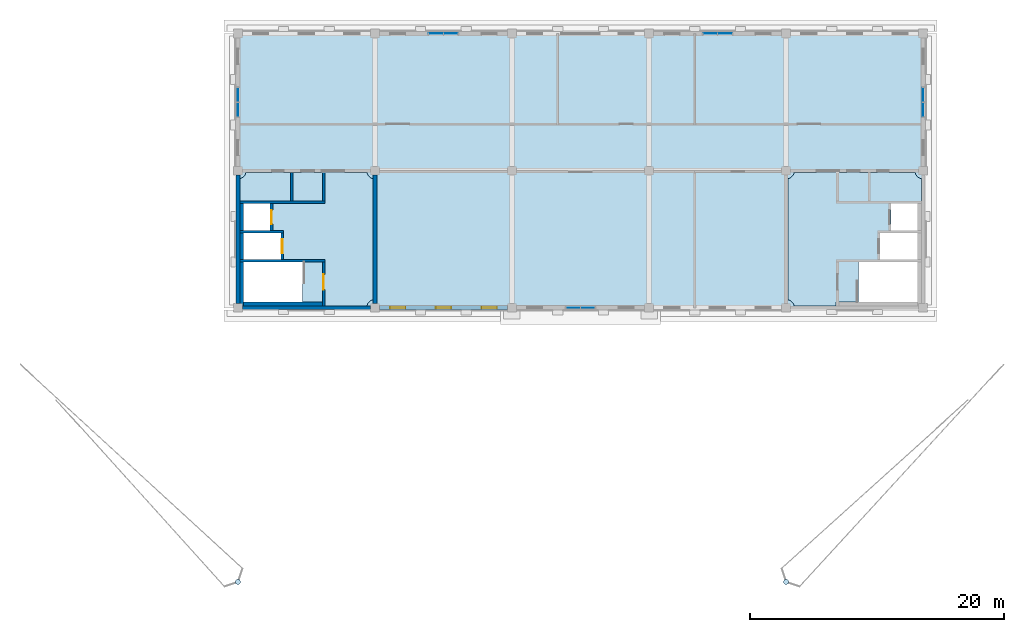
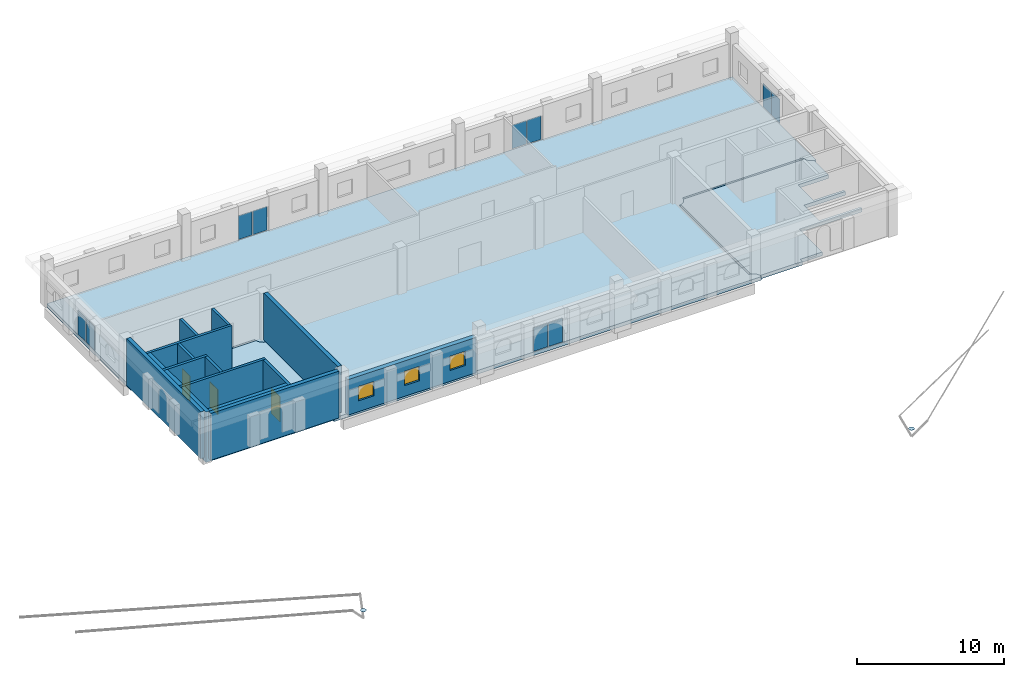
# One storey, part 6 of 10: 16 walls, 12 plates, 3 doors, 3 slabs, 3 windows, 6 openings, 5 elements without a shape of their own.
"""IFC4 building model written with IfcOpenShell, lengths in metres."""

import ifcopenshell
import ifcopenshell.guid

model = None  # the IFC model being written
_history = None  # IfcOwnerHistory: only IFC2X3 demands one
_inside = {}  # id of a spatial element -> (the spatial element, [elements in it])
_under = {}  # id of a project, library or spatial element -> (it, [spatial elements below it])
_declared = {}  # id of a project -> (the project, [libraries it declares])
_typed = {}  # id of a type object -> (the type object, [elements of that type])
_made_of = {}  # id of a material, layer set ... -> (it, [elements and type objects made of it])


def new_model(schema):
    """Start an empty IFC model of exactly this schema.

    Asked for "IFC4X3", IfcOpenShell would pick the latest addendum, in which some entities
    have other attributes; the version numbers below select the first issue.
    IFC2X3 requires an IfcOwnerHistory on every rooted entity: one is made here for all.
    """
    global model, _history
    if schema == "IFC4X3":
        model = ifcopenshell.file(schema_version=(4, 3, 0, 0))
    else:
        model = ifcopenshell.file(schema=schema)
    _inside.clear()
    _under.clear()
    _declared.clear()
    _typed.clear()
    _made_of.clear()
    _history = None
    if model.schema == "IFC2X3":
        org = make("IfcOrganization", Name="unknown")
        user = make(
            "IfcPersonAndOrganization",
            ThePerson=make("IfcPerson", FamilyName="unknown"),
            TheOrganization=org,
        )
        app = make(
            "IfcApplication",
            ApplicationDeveloper=org,
            Version="unknown",
            ApplicationFullName="unknown",
            ApplicationIdentifier="unknown",
        )
        _history = make(
            "IfcOwnerHistory",
            OwningUser=user,
            OwningApplication=app,
            ChangeAction="ADDED",
            CreationDate=0,
        )
    return model


def make(cls, **values):
    """One entity of the class cls with the attributes given. An attribute that is None is left unset."""
    return model.create_entity(
        cls, **{name: value for name, value in values.items() if value is not None}
    )


def rooted(cls, **values):
    """An entity with a GlobalId (a new one), such as an element, a storey or a relation."""
    return make(cls, GlobalId=ifcopenshell.guid.new(), OwnerHistory=_history, **values)


def si_unit(unit_type, name, prefix=None):
    """IfcSIUnit, for example si_unit("LENGTHUNIT", "METRE", prefix="MILLI")."""
    return make("IfcSIUnit", UnitType=unit_type, Prefix=prefix, Name=name)


def assignment(units):
    """IfcUnitAssignment: the units of a project."""
    return None if units is None else make("IfcUnitAssignment", Units=units)


def point(xyz):
    """IfcCartesianPoint."""
    return None if xyz is None else make("IfcCartesianPoint", Coordinates=xyz)


def direction(xyz):
    """IfcDirection."""
    return None if xyz is None else make("IfcDirection", DirectionRatios=xyz)


def frame(location, z_axis=None, x_axis=None):
    """IfcAxis2Placement3D, a coordinate frame: its origin and axes. An axis left out is left unset."""
    return make(
        "IfcAxis2Placement3D",
        Location=point(location),
        Axis=direction(z_axis),
        RefDirection=direction(x_axis),
    )


def frame_2d(location, x_axis=None):
    """IfcAxis2Placement2D, a coordinate frame in the plane: its origin and x axis."""
    return make(
        "IfcAxis2Placement2D", Location=point(location), RefDirection=direction(x_axis)
    )


def origin():
    """The frame at (0, 0, 0) with its axes left unset."""
    return frame((0.0, 0.0, 0.0))


def origin_2d():
    """The frame at (0, 0) in the plane with its x axis left unset."""
    return frame_2d((0.0, 0.0))


def place(relative_to, where):
    """IfcLocalPlacement: puts the frame where relative to a parent placement (None: the world)."""
    return make(
        "IfcLocalPlacement", PlacementRelTo=relative_to, RelativePlacement=where
    )


def context(
    kind, dimensions, precision=None, world=None, true_north=None, identifier=None
):
    """IfcGeometricRepresentationContext, for example the 3D "Model" context."""
    return make(
        "IfcGeometricRepresentationContext",
        ContextIdentifier=identifier,
        ContextType=kind,
        CoordinateSpaceDimension=dimensions,
        Precision=precision,
        WorldCoordinateSystem=world,
        TrueNorth=true_north,
    )


def subcontext(parent, identifier, kind, view, scale=None):
    """IfcGeometricRepresentationSubContext, for example "Body" below "Model"."""
    return make(
        "IfcGeometricRepresentationSubContext",
        ContextIdentifier=identifier,
        ContextType=kind,
        ParentContext=parent,
        TargetScale=scale,
        TargetView=view,
    )


def project(units=None, contexts=None):
    """IfcProject with its units and contexts."""
    return rooted(
        "IfcProject",
        Name="project",
        RepresentationContexts=contexts,
        UnitsInContext=assignment(units),
    )


def spatial(cls, under=None, at=None, **own):
    """A site, building, storey or space (cls), placed at a placement, below another one or the project."""
    s = rooted(cls, ObjectPlacement=at, **own)
    if under is not None:
        _under.setdefault(under.id(), (under, []))[1].append(s)
    return s


def polyline(points):
    """IfcPolyline through the points."""
    return make("IfcPolyline", Points=[point(p) for p in points])


def profile(cls, at=None, kind="AREA", **sizes):
    """A parametric profile (cls). Its sizes go by their IFC names, for example OverallWidth=200.0."""
    return make(cls, ProfileType=kind, Position=at, **sizes)


def rectangle(**sizes):
    """IfcRectangleProfileDef."""
    return profile("IfcRectangleProfileDef", **sizes)


def circle(**sizes):
    """IfcCircleProfileDef."""
    return profile("IfcCircleProfileDef", **sizes)


def outline(outer, holes=None, kind="AREA"):
    """IfcArbitraryClosedProfileDef: a profile drawn as a closed curve; with holes, ...WithVoids."""
    if holes is None:
        return make("IfcArbitraryClosedProfileDef", ProfileType=kind, OuterCurve=outer)
    return make(
        "IfcArbitraryProfileDefWithVoids",
        ProfileType=kind,
        OuterCurve=outer,
        InnerCurves=holes,
    )


def extrude(swept, where, along, depth):
    """IfcExtrudedAreaSolid: the profile swept, set in the frame where, extruded along a direction by depth."""
    return make(
        "IfcExtrudedAreaSolid",
        SweptArea=swept,
        Position=where,
        ExtrudedDirection=direction(along),
        Depth=depth,
    )


def shape(context_of_items, identifier, shape_type, items):
    """IfcShapeRepresentation: the items that make up one representation, for example the "Body"."""
    return make(
        "IfcShapeRepresentation",
        ContextOfItems=context_of_items,
        RepresentationIdentifier=identifier,
        RepresentationType=shape_type,
        Items=items,
    )


def material(Name=None, Category=None):
    """IfcMaterial."""
    return make("IfcMaterial", Name=Name, Category=Category)


def layer(
    of_material, thickness, ventilated=None, Name=None, Category=None, Priority=None
):
    """IfcMaterialLayer: one layer of a wall or slab, of a material (None: an air gap)."""
    return make(
        "IfcMaterialLayer",
        Material=of_material,
        LayerThickness=thickness,
        IsVentilated=ventilated,
        Name=Name,
        Category=Category,
        Priority=Priority,
    )


def layer_set(layers, Name=None):
    """IfcMaterialLayerSet."""
    return make("IfcMaterialLayerSet", MaterialLayers=layers, LayerSetName=Name)


def material_profile(
    of_material, cross_section, Name=None, Category=None, Priority=None
):
    """IfcMaterialProfile: a cross section and its material."""
    return make(
        "IfcMaterialProfile",
        Name=Name,
        Material=of_material,
        Profile=cross_section,
        Priority=Priority,
        Category=Category,
    )


def profile_set(profiles, Name=None, composite=None):
    """IfcMaterialProfileSet."""
    return make(
        "IfcMaterialProfileSet",
        Name=Name,
        MaterialProfiles=profiles,
        CompositeProfile=composite,
    )


def made_of(thing, what):
    """Note that an element or type object is made of a material, layer set ...; save() writes the relation."""
    if what is not None:
        _made_of.setdefault(what.id(), (what, []))[1].append(thing)
    return thing


def type_object(cls, material=None, **own):
    """A type object (cls), such as IfcWallType, which elements share."""
    return made_of(rooted(cls, **own), material)


def element(
    cls,
    number,
    at=None,
    inside=None,
    cuts=None,
    type_object=None,
    material=None,
    context=None,
    identifier="Body",
    shape_type=None,
    held_by="IfcProductDefinitionShape",
    body=None,
    shapes=None,
    **own,
):
    """One element of the class cls, such as IfcWall. Its Tag is "e" and its number.

    at: its placement. inside: the storey or other place that contains it. cuts: it is an
    opening in that element (IfcRelVoidsElement). A single representation is given by context,
    identifier, shape_type and body (its items); several are given by shapes. held_by: the class
    of the entity that holds the representations. save() writes the other relations.
    """
    e = rooted(cls, Tag="e%d" % number, ObjectPlacement=at, **own)
    if body is not None:
        shapes = [shape(context, identifier, shape_type, body)]
    if shapes is not None:
        e.Representation = make(held_by, Representations=shapes)
    if inside is not None:
        _inside.setdefault(inside.id(), (inside, []))[1].append(e)
    if cuts is not None:
        rooted(
            "IfcRelVoidsElement", RelatingBuildingElement=cuts, RelatedOpeningElement=e
        )
    if type_object is not None:
        _typed.setdefault(type_object.id(), (type_object, []))[1].append(e)
    return made_of(e, material)


def fill(opening, filler):
    """IfcRelFillsElement: the door or window that sits in an opening."""
    return rooted(
        "IfcRelFillsElement",
        RelatingOpeningElement=opening,
        RelatedBuildingElement=filler,
    )


def aggregate(whole, parts):
    """IfcRelAggregates: a whole, such as a stair, and the parts it consists of."""
    return rooted("IfcRelAggregates", RelatingObject=whole, RelatedObjects=parts)


def save(model, path):
    """Write the relations noted so far, then the file.

    IfcRelAggregates (storeys below a building ...), IfcRelContainedInSpatialStructure (elements
    in a storey), IfcRelDefinesByType, IfcRelAssociatesMaterial and IfcRelDeclares: one each for
    every whole, place, type object, material and project.
    """
    for whole, parts in _under.values():
        aggregate(whole, parts)
    for where, things in _inside.values():
        rooted(
            "IfcRelContainedInSpatialStructure",
            RelatedElements=things,
            RelatingStructure=where,
        )
    for kind, things in _typed.values():
        rooted("IfcRelDefinesByType", RelatedObjects=things, RelatingType=kind)
    for what, things in _made_of.values():
        rooted("IfcRelAssociatesMaterial", RelatedObjects=things, RelatingMaterial=what)
    for by, libraries in _declared.values():
        rooted("IfcRelDeclares", RelatingContext=by, RelatedDefinitions=libraries)
    model.write(path)


model = new_model("IFC4")

# Units and contexts
model_context = context("Model", 3, precision=1e-05, world=origin(), true_north=direction((0.0, 1.0)))
body_context = subcontext(model_context, "Body", "Model", "MODEL_VIEW")
ifc_project = project(units=[si_unit("LENGTHUNIT", "METRE"), si_unit("AREAUNIT", "SQUARE_METRE"), si_unit("VOLUMEUNIT", "CUBIC_METRE"), si_unit("PLANEANGLEUNIT", "RADIAN"), si_unit("MASSUNIT", "GRAM", prefix="KILO")], contexts=[model_context])

# Site, building, storey
site_placement = place(None, origin())
site = spatial("IfcSite", under=ifc_project, at=site_placement, CompositionType="ELEMENT")
building_placement = place(site_placement, origin())
building = spatial("IfcBuilding", under=site, at=building_placement, Name="Magnolia Steps Interchange", CompositionType="ELEMENT")
storey_placement = place(building_placement, frame((0.0, 0.0, 24.300048828125)))
storey = spatial("IfcBuildingStorey", under=building, at=storey_placement, Name="L06", CompositionType="ELEMENT", Elevation=24.300048828125)

# Slabs
ifc_material_1 = material(Name="Concrete C35", Category="concrete")
ifc_layer_1 = layer(ifc_material_1, 0.300048828125)
ifc_layer_set_1 = layer_set([ifc_layer_1], Name="Core floor slab 300")
slab_type_1 = type_object("IfcSlabType", Name="Core floor slab 300", PredefinedType="FLOOR", material=ifc_layer_set_1)
slab_1_placement = place(storey_placement, frame((0.0, 0.0, -0.300048828125)))
element("IfcSlab", 1, at=slab_1_placement, inside=storey, type_object=slab_type_1, Name="L06 core floor OC-W", PredefinedType="FLOOR", context=body_context, shape_type="SweptSolid", body=[
    extrude(outline(polyline([(70.85009765625, 96.85009765625), (69.10009765625, 96.85009765625), (69.10009765625, 100.0), (64.14990234375, 100.0), (64.14990234375, 100.199951171875), (67.39990234375, 100.199951171875), (67.39990234375, 102.300048828125), (64.14990234375, 102.300048828125), (64.14990234375, 102.5), (66.550048828125, 102.5), (66.550048828125, 104.60009765625), (64.14990234375, 104.60009765625), (64.14990234375, 106.568359375), (64.188720703125, 106.577880859375), (64.248779296875, 106.599609375), (64.306396484375, 106.626708984375), (64.361083984375, 106.659423828125), (64.412353515625, 106.697509765625), (64.459716796875, 106.740478515625), (64.50244140625, 106.78759765625), (64.54052734375, 106.8388671875), (64.5732421875, 106.8935546875), (64.6005859375, 106.951416015625), (64.6220703125, 107.01123046875), (64.631591796875, 107.050048828125), (74.168212890625, 107.050048828125), (74.177978515625, 107.01123046875), (74.199462890625, 106.951416015625), (74.226806640625, 106.8935546875), (74.259521484375, 106.8388671875), (74.297607421875, 106.78759765625), (74.34033203125, 106.740478515625), (74.3876953125, 106.697509765625), (74.43896484375, 106.659423828125), (74.49365234375, 106.626708984375), (74.55126953125, 106.599609375), (74.611328125, 106.577880859375), (74.64990234375, 106.568359375), (74.64990234375, 97.03173828125), (74.611328125, 97.02197265625), (74.55126953125, 97.00048828125), (74.49365234375, 96.97314453125), (74.43896484375, 96.9404296875), (74.3876953125, 96.902587890625), (74.34033203125, 96.859619140625), (74.297607421875, 96.8125), (74.259521484375, 96.760986328125), (74.226806640625, 96.706298828125), (74.199462890625, 96.648681640625), (74.177978515625, 96.588623046875), (74.168212890625, 96.550048828125), (70.85009765625, 96.550048828125), (70.85009765625, 96.85009765625)])), origin(), (0.0, 0.0, 1.0), 0.300048828125),
])
slab_2_placement = place(storey_placement, frame((0.0, 0.0, -0.300048828125)))
element("IfcSlab", 2, at=slab_2_placement, inside=storey, type_object=slab_type_1, Name="L06 core floor OC-E", PredefinedType="FLOOR", context=body_context, shape_type="SweptSolid", body=[
    extrude(outline(polyline([(107.35009765625, 106.568359375), (107.388671875, 106.577880859375), (107.44873046875, 106.599609375), (107.50634765625, 106.626708984375), (107.56103515625, 106.659423828125), (107.6123046875, 106.697509765625), (107.65966796875, 106.740478515625), (107.702392578125, 106.78759765625), (107.740478515625, 106.8388671875), (107.773193359375, 106.8935546875), (107.800537109375, 106.951416015625), (107.822021484375, 107.01123046875), (107.831787109375, 107.050048828125), (117.368408203125, 107.050048828125), (117.3779296875, 107.01123046875), (117.3994140625, 106.951416015625), (117.4267578125, 106.8935546875), (117.45947265625, 106.8388671875), (117.49755859375, 106.78759765625), (117.540283203125, 106.740478515625), (117.587646484375, 106.697509765625), (117.638916015625, 106.659423828125), (117.693603515625, 106.626708984375), (117.751220703125, 106.599609375), (117.811279296875, 106.577880859375), (117.85009765625, 106.568359375), (117.85009765625, 104.60009765625), (115.449951171875, 104.60009765625), (115.449951171875, 102.5), (117.85009765625, 102.5), (117.85009765625, 102.300048828125), (114.60009765625, 102.300048828125), (114.60009765625, 100.199951171875), (117.85009765625, 100.199951171875), (117.85009765625, 100.0), (112.89990234375, 100.0), (112.89990234375, 96.85009765625), (111.14990234375, 96.85009765625), (111.14990234375, 96.550048828125), (107.831787109375, 96.550048828125), (107.822021484375, 96.588623046875), (107.800537109375, 96.648681640625), (107.773193359375, 96.706298828125), (107.740478515625, 96.760986328125), (107.702392578125, 96.8125), (107.65966796875, 96.859619140625), (107.6123046875, 96.902587890625), (107.56103515625, 96.9404296875), (107.50634765625, 96.97314453125), (107.44873046875, 97.00048828125), (107.388671875, 97.02197265625), (107.35009765625, 97.03173828125), (107.35009765625, 106.568359375)])), origin(), (0.0, 0.0, 1.0), 0.300048828125),
])

# Plates
ifc_material_2 = material(Name="Steel Q355B", Category="steel")
ifc_material_profile = material_profile(ifc_material_2, circle(Radius=0.202880859375, at=origin_2d()), Name="End plate CHS406x16")
ifc_profile_set = profile_set([ifc_material_profile], Name="Steel Q355B")
plate_type_1 = type_object("IfcPlateType", Name="End plate CHS406x16", PredefinedType="SHEET", material=ifc_profile_set)
for number, where, z_axis, x_axis, name in (
    (3, (107.199951171875, 74.800048828125, 0.651123046875), (0.0, 0.0, 1.0), (1.0, 0.0, 0.0), "End plate Mast"),
    (4, (64.0, 74.800048828125, 0.651123046875), (0.0, 0.0, 1.0), (1.0, 0.0, 0.0), "End plate Mast"),
):
    element("IfcPlate", number, at=place(storey_placement, frame(where, z_axis=z_axis, x_axis=x_axis)), inside=storey, type_object=plate_type_1, Name=name, PredefinedType="SHEET", context=body_context, shape_type="SweptSolid", body=[
        extrude(circle(Radius=0.202880859375, at=origin_2d()), origin(), (0.0, 0.0, 1.0), 0.008056640625),
    ])

# Slab
ifc_material_3 = material(Name="Concrete C40", Category="concrete")
ifc_layer_2 = layer(ifc_material_3, 0.300048828125)
ifc_layer_set_2 = layer_set([ifc_layer_2], Name="Floor slab 300")
slab_type_2 = type_object("IfcSlabType", Name="Floor slab 300", PredefinedType="FLOOR", material=ifc_layer_set_2)
slab_3_placement = place(storey_placement, frame((0.0, 0.0, -0.300048828125)))
element("IfcSlab", 5, at=slab_3_placement, inside=storey, type_object=slab_type_2, Name="Operations floor L06", PredefinedType="FLOOR", context=body_context, shape_type="SweptSolid", body=[
    extrude(outline(polyline([(64.0, 106.550048828125), (64.063720703125, 106.552978515625), (64.126708984375, 106.5625), (64.188720703125, 106.577880859375), (64.248779296875, 106.599609375), (64.306396484375, 106.626708984375), (64.361083984375, 106.659423828125), (64.412353515625, 106.697509765625), (64.459716796875, 106.740478515625), (64.50244140625, 106.78759765625), (64.54052734375, 106.8388671875), (64.5732421875, 106.8935546875), (64.6005859375, 106.951416015625), (64.6220703125, 107.01123046875), (64.637451171875, 107.0732421875), (64.64697265625, 107.13623046875), (64.64990234375, 107.199951171875), (74.14990234375, 107.199951171875), (74.153076171875, 107.13623046875), (74.16259765625, 107.0732421875), (74.177978515625, 107.01123046875), (74.199462890625, 106.951416015625), (74.226806640625, 106.8935546875), (74.259521484375, 106.8388671875), (74.297607421875, 106.78759765625), (74.34033203125, 106.740478515625), (74.3876953125, 106.697509765625), (74.43896484375, 106.659423828125), (74.49365234375, 106.626708984375), (74.55126953125, 106.599609375), (74.611328125, 106.577880859375), (74.673095703125, 106.5625), (74.736328125, 106.552978515625), (74.800048828125, 106.550048828125), (74.800048828125, 97.050048828125), (74.736328125, 97.046875), (74.673095703125, 97.03759765625), (74.611328125, 97.02197265625), (74.55126953125, 97.00048828125), (74.49365234375, 96.97314453125), (74.43896484375, 96.9404296875), (74.3876953125, 96.902587890625), (74.34033203125, 96.859619140625), (74.297607421875, 96.8125), (74.259521484375, 96.760986328125), (74.226806640625, 96.706298828125), (74.199462890625, 96.648681640625), (74.177978515625, 96.588623046875), (74.16259765625, 96.52685546875), (74.153076171875, 96.463623046875), (74.14990234375, 96.39990234375), (107.85009765625, 96.39990234375), (107.846923828125, 96.463623046875), (107.83740234375, 96.52685546875), (107.822021484375, 96.588623046875), (107.800537109375, 96.648681640625), (107.773193359375, 96.706298828125), (107.740478515625, 96.760986328125), (107.702392578125, 96.8125), (107.65966796875, 96.859619140625), (107.6123046875, 96.902587890625), (107.56103515625, 96.9404296875), (107.50634765625, 96.97314453125), (107.44873046875, 97.00048828125), (107.388671875, 97.02197265625), (107.326904296875, 97.03759765625), (107.263671875, 97.046875), (107.199951171875, 97.050048828125), (107.199951171875, 106.550048828125), (107.263671875, 106.552978515625), (107.326904296875, 106.5625), (107.388671875, 106.577880859375), (107.44873046875, 106.599609375), (107.50634765625, 106.626708984375), (107.56103515625, 106.659423828125), (107.6123046875, 106.697509765625), (107.65966796875, 106.740478515625), (107.702392578125, 106.78759765625), (107.740478515625, 106.8388671875), (107.773193359375, 106.8935546875), (107.800537109375, 106.951416015625), (107.822021484375, 107.01123046875), (107.83740234375, 107.0732421875), (107.846923828125, 107.13623046875), (107.85009765625, 107.199951171875), (117.35009765625, 107.199951171875), (117.35302734375, 107.13623046875), (117.362548828125, 107.0732421875), (117.3779296875, 107.01123046875), (117.3994140625, 106.951416015625), (117.4267578125, 106.8935546875), (117.45947265625, 106.8388671875), (117.49755859375, 106.78759765625), (117.540283203125, 106.740478515625), (117.587646484375, 106.697509765625), (117.638916015625, 106.659423828125), (117.693603515625, 106.626708984375), (117.751220703125, 106.599609375), (117.811279296875, 106.577880859375), (117.873291015625, 106.5625), (117.936279296875, 106.552978515625), (118.0, 106.550048828125), (118.0, 118.0), (64.0, 118.0), (64.0, 106.550048828125)])), origin(), (0.0, 0.0, 1.0), 0.300048828125),
])

# Curtain wall, plates
ifc_material_4 = material(Name="Powder-coated aluminium and glass", Category="aluminium")
ifc_layer_3 = layer(ifc_material_4, 0.199951171875)
ifc_layer_set_3 = layer_set([ifc_layer_3], Name="Glazed central bay curtain wall")
curtain_wall_type = type_object("IfcCurtainWallType", Name="Glazed central bay curtain wall", PredefinedType="NOTDEFINED", material=ifc_layer_set_3)
curtain_wall_1_placement = place(storey_placement, origin())
curtain_wall_1 = element("IfcCurtainWall", 6, at=curtain_wall_1_placement, inside=storey, type_object=curtain_wall_type, Name="Operations building south wall L06 glazing 2", PredefinedType="NOTDEFINED")
ifc_material_5 = material(Name="Laminated glass", Category="glass")
ifc_layer_4 = layer(ifc_material_5, 0.028076171875)
ifc_layer_set_4 = layer_set([ifc_layer_4], Name="Glass panel 28")
plate_type_2 = type_object("IfcPlateType", Name="Glass panel 28", PredefinedType="CURTAIN_PANEL", material=ifc_layer_set_4)
plate_1_placement = place(storey_placement, frame((90.4150390625, 96.39990234375, 0.06005859375), z_axis=(0.0, 0.0, 1.0), x_axis=(1.0, 0.0, 0.0)))
plate_1 = element("IfcPlate", 7, at=plate_1_placement, type_object=plate_type_2, Name="CW2 panel 1.1", PredefinedType="CURTAIN_PANEL", context=body_context, shape_type="SweptSolid", body=[
    extrude(rectangle(XDim=1.110107421875, YDim=0.028076171875, at=origin_2d()), origin(), (0.0, 0.0, 1.0), 1.97998046875),
])
plate_2_placement = place(storey_placement, frame((91.5849609375, 96.39990234375, 0.06005859375), z_axis=(0.0, 0.0, 1.0), x_axis=(1.0, 0.0, 0.0)))
plate_2 = element("IfcPlate", 8, at=plate_2_placement, type_object=plate_type_2, Name="CW2 panel 2.1", PredefinedType="CURTAIN_PANEL", context=body_context, shape_type="SweptSolid", body=[
    extrude(rectangle(XDim=1.110107421875, YDim=0.028076171875, at=origin_2d()), origin(), (0.0, 0.0, 1.0), 1.97998046875),
])
aggregate(curtain_wall_1, [plate_1, plate_2])

curtain_wall_2_placement = place(storey_placement, origin())
curtain_wall_2 = element("IfcCurtainWall", 9, at=curtain_wall_2_placement, inside=storey, type_object=curtain_wall_type, Name="Operations building north wall L06 glazing 2", PredefinedType="NOTDEFINED")
plate_3_placement = place(storey_placement, frame((79.614990234375, 118.0, 0.06005859375), z_axis=(0.0, 0.0, 1.0), x_axis=(1.0, 0.0, 0.0)))
plate_3 = element("IfcPlate", 10, at=plate_3_placement, type_object=plate_type_2, Name="CW2 panel 1.1", PredefinedType="CURTAIN_PANEL", context=body_context, shape_type="SweptSolid", body=[
    extrude(rectangle(XDim=1.110107421875, YDim=0.028076171875, at=origin_2d()), origin(), (0.0, 0.0, 1.0), 1.97998046875),
])
plate_4_placement = place(storey_placement, frame((80.784912109375, 118.0, 0.06005859375), z_axis=(0.0, 0.0, 1.0), x_axis=(1.0, 0.0, 0.0)))
plate_4 = element("IfcPlate", 11, at=plate_4_placement, type_object=plate_type_2, Name="CW2 panel 2.1", PredefinedType="CURTAIN_PANEL", context=body_context, shape_type="SweptSolid", body=[
    extrude(rectangle(XDim=1.110107421875, YDim=0.028076171875, at=origin_2d()), origin(), (0.0, 0.0, 1.0), 1.97998046875),
])
aggregate(curtain_wall_2, [plate_3, plate_4])

curtain_wall_3_placement = place(storey_placement, origin())
curtain_wall_3 = element("IfcCurtainWall", 12, at=curtain_wall_3_placement, inside=storey, type_object=curtain_wall_type, Name="Operations building north wall L06 glazing 4", PredefinedType="NOTDEFINED")
plate_5_placement = place(storey_placement, frame((101.215087890625, 118.0, 0.06005859375), z_axis=(0.0, 0.0, 1.0), x_axis=(1.0, 0.0, 0.0)))
plate_5 = element("IfcPlate", 13, at=plate_5_placement, type_object=plate_type_2, Name="CW2 panel 1.1", PredefinedType="CURTAIN_PANEL", context=body_context, shape_type="SweptSolid", body=[
    extrude(rectangle(XDim=1.110107421875, YDim=0.028076171875, at=origin_2d()), origin(), (0.0, 0.0, 1.0), 1.97998046875),
])
plate_6_placement = place(storey_placement, frame((102.385009765625, 118.0, 0.06005859375), z_axis=(0.0, 0.0, 1.0), x_axis=(1.0, 0.0, 0.0)))
plate_6 = element("IfcPlate", 14, at=plate_6_placement, type_object=plate_type_2, Name="CW2 panel 2.1", PredefinedType="CURTAIN_PANEL", context=body_context, shape_type="SweptSolid", body=[
    extrude(rectangle(XDim=1.110107421875, YDim=0.028076171875, at=origin_2d()), origin(), (0.0, 0.0, 1.0), 1.97998046875),
])
aggregate(curtain_wall_3, [plate_5, plate_6])

curtain_wall_4_placement = place(storey_placement, origin())
curtain_wall_4 = element("IfcCurtainWall", 15, at=curtain_wall_4_placement, inside=storey, type_object=curtain_wall_type, Name="Operations building west wall L06 glazing 2", PredefinedType="NOTDEFINED")
plate_7_placement = place(storey_placement, frame((64.0, 112.014892578125, 0.06005859375), z_axis=(0.0, 0.0, 1.0), x_axis=(0.0, 1.0, 0.0)))
plate_7 = element("IfcPlate", 16, at=plate_7_placement, type_object=plate_type_2, Name="CW2 panel 1.1", PredefinedType="CURTAIN_PANEL", context=body_context, shape_type="SweptSolid", body=[
    extrude(rectangle(XDim=1.110107421875, YDim=0.028076171875, at=origin_2d()), origin(), (0.0, 0.0, 1.0), 1.97998046875),
])
plate_8_placement = place(storey_placement, frame((64.0, 113.18505859375, 0.06005859375), z_axis=(0.0, 0.0, 1.0), x_axis=(0.0, 1.0, 0.0)))
plate_8 = element("IfcPlate", 17, at=plate_8_placement, type_object=plate_type_2, Name="CW2 panel 2.1", PredefinedType="CURTAIN_PANEL", context=body_context, shape_type="SweptSolid", body=[
    extrude(rectangle(XDim=1.110107421875, YDim=0.028076171875, at=origin_2d()), origin(), (0.0, 0.0, 1.0), 1.97998046875),
])
aggregate(curtain_wall_4, [plate_7, plate_8])

curtain_wall_5_placement = place(storey_placement, origin())
curtain_wall_5 = element("IfcCurtainWall", 18, at=curtain_wall_5_placement, inside=storey, type_object=curtain_wall_type, Name="Operations building east wall L06 glazing 2", PredefinedType="NOTDEFINED")
plate_9_placement = place(storey_placement, frame((118.0, 112.014892578125, 0.06005859375), z_axis=(0.0, 0.0, 1.0), x_axis=(0.0, 1.0, 0.0)))
plate_9 = element("IfcPlate", 19, at=plate_9_placement, type_object=plate_type_2, Name="CW2 panel 1.1", PredefinedType="CURTAIN_PANEL", context=body_context, shape_type="SweptSolid", body=[
    extrude(rectangle(XDim=1.110107421875, YDim=0.028076171875, at=origin_2d()), origin(), (0.0, 0.0, 1.0), 1.97998046875),
])
plate_10_placement = place(storey_placement, frame((118.0, 113.18505859375, 0.06005859375), z_axis=(0.0, 0.0, 1.0), x_axis=(0.0, 1.0, 0.0)))
plate_10 = element("IfcPlate", 20, at=plate_10_placement, type_object=plate_type_2, Name="CW2 panel 2.1", PredefinedType="CURTAIN_PANEL", context=body_context, shape_type="SweptSolid", body=[
    extrude(rectangle(XDim=1.110107421875, YDim=0.028076171875, at=origin_2d()), origin(), (0.0, 0.0, 1.0), 1.97998046875),
])
aggregate(curtain_wall_5, [plate_9, plate_10])

# Wall, opening, door
ifc_material_6 = material(Name="Concrete C35", Category="concrete")
ifc_layer_5 = layer(ifc_material_6, 0.199951171875)
ifc_layer_set_5 = layer_set([ifc_layer_5], Name="Core enclosure wall 200")
wall_type_1 = type_object("IfcWallType", Name="Core enclosure wall 200", PredefinedType="SOLIDWALL", material=ifc_layer_set_5)
wall_1_placement = place(storey_placement, frame((70.75, 96.550048828125, 0.0), z_axis=(0.0, 0.0, 1.0), x_axis=(0.0, 1.0, 0.0)))
wall_1 = element("IfcWall", 21, at=wall_1_placement, inside=storey, type_object=wall_type_1, Name="L06 OC-W enclosure wall", PredefinedType="SOLIDWALL", context=body_context, shape_type="SweptSolid", body=[
    extrude(rectangle(XDim=3.449951171875, YDim=0.199951171875, at=frame_2d((1.72509765625, 0.0))), origin(), (0.0, 0.0, 1.0), 3.89990234375),
])
opening_1_placement = place(wall_1_placement, frame((1.27490234375, 0.0, 0.0)))
opening_1 = element("IfcOpeningElement", 22, at=opening_1_placement, cuts=wall_1, Name="Opening D-OC-W-L06-1", PredefinedType="OPENING", context=body_context, shape_type="SweptSolid", body=[
    extrude(rectangle(XDim=1.199951171875, YDim=2.10009765625, at=frame_2d((0.60009765625, 1.050048828125))), frame((0.0, 0.10986328125, 0.0), z_axis=(0.0, -1.0, 0.0), x_axis=(1.0, 0.0, 0.0)), (0.0, 0.0, 1.0), 0.219970703125),
])
ifc_material_7 = material(Name="Painted steel", Category="steel")
door_type_1 = type_object("IfcDoorType", Name="Stair fire door 1200x2100", OperationType="NOTDEFINED", PredefinedType="DOOR", material=ifc_material_7)
door_1_placement = place(opening_1_placement, frame((1.199951171875, 0.0, 0.0), z_axis=(0.0, 0.0, 1.0), x_axis=(-1.0, 0.0, 0.0)))
door_1 = element("IfcDoor", 23, at=door_1_placement, inside=storey, type_object=door_type_1, Name="Stair door ST28 L06", OperationType="SINGLE_SWING_LEFT", OverallHeight=2.10009765625, OverallWidth=1.199951171875, PredefinedType="DOOR", context=body_context, shape_type="SweptSolid", body=[
    extrude(rectangle(XDim=1.199951171875, YDim=2.10009765625, at=frame_2d((0.60009765625, 1.050048828125))), frame((0.0, 0.02490234375, 0.0), z_axis=(0.0, -1.0, 0.0), x_axis=(1.0, 0.0, 0.0)), (0.0, 0.0, 1.0), 0.050048828125),
])
fill(opening_1, door_1)

# Wall
wall_2_placement = place(storey_placement, frame((70.85009765625, 100.10009765625, 0.0), z_axis=(0.0, 0.0, 1.0), x_axis=(-1.0, 0.0, 0.0)))
element("IfcWall", 24, at=wall_2_placement, inside=storey, type_object=wall_type_1, Name="L06 OC-W enclosure wall", PredefinedType="SOLIDWALL", context=body_context, shape_type="SweptSolid", body=[
    extrude(rectangle(XDim=6.7001953125, YDim=0.199951171875, at=frame_2d((3.35009765625, 0.0))), origin(), (0.0, 0.0, 1.0), 3.89990234375),
])

# Wall, opening, door
wall_3_placement = place(storey_placement, frame((67.5, 100.199951171875, 0.0), z_axis=(0.0, 0.0, 1.0), x_axis=(0.0, 1.0, 0.0)))
wall_3 = element("IfcWall", 25, at=wall_3_placement, inside=storey, type_object=wall_type_1, Name="L06 OC-W enclosure wall", PredefinedType="SOLIDWALL", context=body_context, shape_type="SweptSolid", body=[
    extrude(rectangle(XDim=2.10009765625, YDim=0.199951171875, at=frame_2d((1.050048828125, 0.0))), origin(), (0.0, 0.0, 1.0), 3.89990234375),
])
opening_2_placement = place(wall_3_placement, frame((0.5, 0.0, 0.0)))
opening_2 = element("IfcOpeningElement", 26, at=opening_2_placement, cuts=wall_3, Name="Opening LD", PredefinedType="OPENING", context=body_context, shape_type="SweptSolid", body=[
    extrude(rectangle(XDim=1.10009765625, YDim=2.10009765625, at=frame_2d((0.550048828125, 1.050048828125))), frame((0.0, 0.10986328125, 0.0), z_axis=(0.0, -1.0, 0.0), x_axis=(1.0, 0.0, 0.0)), (0.0, 0.0, 1.0), 0.219970703125),
])
ifc_material_8 = material(Name="Stainless steel grade 304", Category="steel")
door_type_2 = type_object("IfcDoorType", Name="Lift landing door 1100x2100", OperationType="DOUBLE_DOOR_SLIDING", PredefinedType="DOOR", material=ifc_material_8)
door_2_placement = place(opening_2_placement, frame((1.10009765625, 0.0, 0.0), z_axis=(0.0, 0.0, 1.0), x_axis=(-1.0, 0.0, 0.0)))
door_2 = element("IfcDoor", 27, at=door_2_placement, inside=storey, type_object=door_type_2, Name="Lift landing door LF15 L06", OperationType="DOUBLE_DOOR_SLIDING", OverallHeight=2.10009765625, OverallWidth=1.10009765625, PredefinedType="DOOR", context=body_context, shape_type="SweptSolid", body=[
    extrude(rectangle(XDim=1.10009765625, YDim=2.10009765625, at=frame_2d((0.550048828125, 1.050048828125))), frame((0.0, 0.02490234375, 0.0), z_axis=(0.0, -1.0, 0.0), x_axis=(1.0, 0.0, 0.0)), (0.0, 0.0, 1.0), 0.050048828125),
])
fill(opening_2, door_2)

# Wall
wall_4_placement = place(storey_placement, frame((67.60009765625, 102.39990234375, 0.0), z_axis=(0.0, 0.0, 1.0), x_axis=(-1.0, 0.0, 0.0)))
element("IfcWall", 28, at=wall_4_placement, inside=storey, type_object=wall_type_1, Name="L06 OC-W enclosure wall", PredefinedType="SOLIDWALL", context=body_context, shape_type="SweptSolid", body=[
    extrude(rectangle(XDim=3.4501953125, YDim=0.199951171875, at=frame_2d((1.72509765625, 0.0))), origin(), (0.0, 0.0, 1.0), 3.89990234375),
])

# Wall, opening, door
wall_5_placement = place(storey_placement, frame((66.64990234375, 102.5, 0.0), z_axis=(0.0, 0.0, 1.0), x_axis=(0.0, 1.0, 0.0)))
wall_5 = element("IfcWall", 29, at=wall_5_placement, inside=storey, type_object=wall_type_1, Name="L06 OC-W enclosure wall", PredefinedType="SOLIDWALL", context=body_context, shape_type="SweptSolid", body=[
    extrude(rectangle(XDim=2.10009765625, YDim=0.199951171875, at=frame_2d((1.050048828125, 0.0))), origin(), (0.0, 0.0, 1.0), 3.89990234375),
])
opening_3_placement = place(wall_5_placement, frame((0.5, 0.0, 0.0)))
opening_3 = element("IfcOpeningElement", 30, at=opening_3_placement, cuts=wall_5, Name="Opening LD", PredefinedType="OPENING", context=body_context, shape_type="SweptSolid", body=[
    extrude(rectangle(XDim=1.10009765625, YDim=2.10009765625, at=frame_2d((0.550048828125, 1.050048828125))), frame((0.0, 0.10986328125, 0.0), z_axis=(0.0, -1.0, 0.0), x_axis=(1.0, 0.0, 0.0)), (0.0, 0.0, 1.0), 0.219970703125),
])
door_3_placement = place(opening_3_placement, frame((1.10009765625, 0.0, 0.0), z_axis=(0.0, 0.0, 1.0), x_axis=(-1.0, 0.0, 0.0)))
door_3 = element("IfcDoor", 31, at=door_3_placement, inside=storey, type_object=door_type_2, Name="Lift landing door LF16 L06", OperationType="DOUBLE_DOOR_SLIDING", OverallHeight=2.10009765625, OverallWidth=1.10009765625, PredefinedType="DOOR", context=body_context, shape_type="SweptSolid", body=[
    extrude(rectangle(XDim=1.10009765625, YDim=2.10009765625, at=frame_2d((0.550048828125, 1.050048828125))), frame((0.0, 0.02490234375, 0.0), z_axis=(0.0, -1.0, 0.0), x_axis=(1.0, 0.0, 0.0)), (0.0, 0.0, 1.0), 0.050048828125),
])
fill(opening_3, door_3)

# Walls
wall_6_placement = place(storey_placement, frame((70.85009765625, 104.699951171875, 0.0), z_axis=(0.0, 0.0, 1.0), x_axis=(-1.0, 0.0, 0.0)))
element("IfcWall", 32, at=wall_6_placement, inside=storey, type_object=wall_type_1, Name="L06 OC-W enclosure wall", PredefinedType="SOLIDWALL", context=body_context, shape_type="SweptSolid", body=[
    extrude(rectangle(XDim=6.7001953125, YDim=0.199951171875, at=frame_2d((3.35009765625, 0.0))), origin(), (0.0, 0.0, 1.0), 3.89990234375),
])
wall_7_placement = place(storey_placement, frame((70.75, 104.800048828125, 0.0), z_axis=(0.0, 0.0, 1.0), x_axis=(0.0, 1.0, 0.0)))
element("IfcWall", 33, at=wall_7_placement, inside=storey, type_object=wall_type_1, Name="L06 OC-W enclosure wall", PredefinedType="SOLIDWALL", context=body_context, shape_type="SweptSolid", body=[
    extrude(rectangle(XDim=2.25, YDim=0.199951171875, at=frame_2d((1.125, 0.0))), origin(), (0.0, 0.0, 1.0), 3.89990234375),
])
ifc_material_9 = material(Name="Concrete C35", Category="concrete")
ifc_layer_6 = layer(ifc_material_9, 0.300048828125)
ifc_layer_set_6 = layer_set([ifc_layer_6], Name="Core lining wall 300")
wall_type_2 = type_object("IfcWallType", Name="Core lining wall 300", PredefinedType="SOLIDWALL", material=ifc_layer_set_6)
wall_8_placement = place(storey_placement, frame((70.85009765625, 96.699951171875, -0.300048828125), z_axis=(0.0, 0.0, 1.0), x_axis=(-1.0, 0.0, 0.0)))
element("IfcWall", 34, at=wall_8_placement, inside=storey, type_object=wall_type_2, Name="L06 OC-W stair lining wall", PredefinedType="SOLIDWALL", context=body_context, shape_type="SweptSolid", body=[
    extrude(rectangle(XDim=6.7001953125, YDim=0.300048828125, at=frame_2d((3.35009765625, 0.0))), origin(), (0.0, 0.0, 1.0), 4.199951171875),
])
wall_9_placement = place(storey_placement, frame((64.300048828125, 96.550048828125, -0.300048828125), z_axis=(0.0, 0.0, 1.0), x_axis=(0.0, 1.0, 0.0)))
element("IfcWall", 35, at=wall_9_placement, inside=storey, type_object=wall_type_2, Name="L06 OC-W stair lining wall", PredefinedType="SOLIDWALL", context=body_context, shape_type="SweptSolid", body=[
    extrude(rectangle(XDim=3.449951171875, YDim=0.300048828125, at=frame_2d((1.72509765625, 0.0))), origin(), (0.0, 0.0, 1.0), 4.199951171875),
])
for number, where, z_axis, x_axis, name in (
    (36, (64.300048828125, 100.199951171875, -0.300048828125), (0.0, 0.0, 1.0), (0.0, 1.0, 0.0), "L06 OC-W stair lining wall"),
    (37, (64.300048828125, 102.5, -0.300048828125), (0.0, 0.0, 1.0), (0.0, 1.0, 0.0), "L06 OC-W stair lining wall"),
):
    element("IfcWall", number, at=place(storey_placement, frame(where, z_axis=z_axis, x_axis=x_axis)), inside=storey, type_object=wall_type_2, Name=name, PredefinedType="SOLIDWALL", context=body_context, shape_type="SweptSolid", body=[
        extrude(rectangle(XDim=2.10009765625, YDim=0.300048828125, at=frame_2d((1.050048828125, 0.0))), origin(), (0.0, 0.0, 1.0), 4.199951171875),
    ])
ifc_material_10 = material(Name="Fair-faced blockwork", Category="masonry")
ifc_layer_7 = layer(ifc_material_10, 0.199951171875)
ifc_layer_set_7 = layer_set([ifc_layer_7], Name="Core partition 200")
wall_type_3 = type_object("IfcWallType", Name="Core partition 200", PredefinedType="PARTITIONING", material=ifc_layer_set_7)
wall_10_placement = place(storey_placement, frame((68.25, 104.800048828125, 0.0), z_axis=(0.0, 0.0, 1.0), x_axis=(0.0, 1.0, 0.0)))
element("IfcWall", 38, at=wall_10_placement, inside=storey, type_object=wall_type_3, Name="L06 OC-W toilet partition", PredefinedType="PARTITIONING", context=body_context, shape_type="SweptSolid", body=[
    extrude(rectangle(XDim=2.25, YDim=0.199951171875, at=frame_2d((1.125, 0.0))), origin(), (0.0, 0.0, 1.0), 3.89990234375),
])
ifc_material_11 = material(Name="Concrete C40", Category="concrete")
ifc_layer_8 = layer(ifc_material_11, 0.300048828125)
ifc_layer_set_8 = layer_set([ifc_layer_8], Name="Core wall 300")
wall_type_4 = type_object("IfcWallType", Name="Core wall 300", PredefinedType="SOLIDWALL", material=ifc_layer_set_8)
wall_11_placement = place(storey_placement, frame((64.35009765625, 96.39990234375, 0.0), z_axis=(0.0, 0.0, 1.0), x_axis=(1.0, 0.0, 0.0)))
element("IfcWall", 39, at=wall_11_placement, inside=storey, type_object=wall_type_4, Name="Core wall OC-W", PredefinedType="SOLIDWALL", context=body_context, shape_type="SweptSolid", body=[
    extrude(rectangle(XDim=10.099853515625, YDim=0.300048828125, at=frame_2d((5.0498046875, 0.0))), origin(), (0.0, 0.0, 1.0), 3.89990234375),
])
for number, where, z_axis, x_axis, name in (
    (40, (74.800048828125, 96.75, 0.0), (0.0, 0.0, 1.0), (0.0, 1.0, 0.0), "Core wall OC-W"),
    (41, (64.0, 106.85009765625, 0.0), (0.0, 0.0, 1.0), (0.0, -1.0, 0.0), "Core wall OC-W"),
):
    element("IfcWall", number, at=place(storey_placement, frame(where, z_axis=z_axis, x_axis=x_axis)), inside=storey, type_object=wall_type_4, Name=name, PredefinedType="SOLIDWALL", context=body_context, shape_type="SweptSolid", body=[
        extrude(rectangle(XDim=10.10009765625, YDim=0.300048828125, at=frame_2d((5.050048828125, 0.0))), origin(), (0.0, 0.0, 1.0), 3.89990234375),
    ])

# Wall, openings, windows
ifc_material_12 = material(Name="Lime render on masonry", Category="masonry")
ifc_layer_9 = layer(ifc_material_12, 0.35009765625)
ifc_layer_set_9 = layer_set([ifc_layer_9], Name="Lime render wall 350")
wall_type_5 = type_object("IfcWallType", Name="Lime render wall 350", PredefinedType="SOLIDWALL", material=ifc_layer_set_9)
wall_12_placement = place(storey_placement, frame((75.14990234375, 96.39990234375, 0.0), z_axis=(0.0, 0.0, 1.0), x_axis=(1.0, 0.0, 0.0)))
wall_12 = element("IfcWall", 42, at=wall_12_placement, inside=storey, type_object=wall_type_5, Name="Operations building south wall L06 pier 1", PredefinedType="SOLIDWALL", context=body_context, shape_type="SweptSolid", body=[
    extrude(rectangle(XDim=10.10009765625, YDim=0.35009765625, at=frame_2d((5.050048828125, 0.0))), origin(), (0.0, 0.0, 1.0), 2.949951171875),
])
opening_4_placement = place(wall_12_placement, frame((0.85009765625, 0.0, 0.89990234375)))
opening_4 = element("IfcOpeningElement", 43, at=opening_4_placement, cuts=wall_12, Name="Opening WN2", PredefinedType="OPENING", context=body_context, shape_type="SweptSolid", body=[
    extrude(rectangle(XDim=1.199951171875, YDim=1.199951171875, at=frame_2d((0.60009765625, 0.60009765625))), frame((0.0, 0.18505859375, 0.0), z_axis=(0.0, -1.0, 0.0), x_axis=(1.0, 0.0, 0.0)), (0.0, 0.0, 1.0), 0.3701171875),
])
opening_5_placement = place(wall_12_placement, frame((4.449951171875, 0.0, 0.89990234375)))
opening_5 = element("IfcOpeningElement", 44, at=opening_5_placement, cuts=wall_12, Name="Opening WN2", PredefinedType="OPENING", context=body_context, shape_type="SweptSolid", body=[
    extrude(rectangle(XDim=1.199951171875, YDim=1.199951171875, at=frame_2d((0.60009765625, 0.60009765625))), frame((0.0, 0.18505859375, 0.0), z_axis=(0.0, -1.0, 0.0), x_axis=(1.0, 0.0, 0.0)), (0.0, 0.0, 1.0), 0.3701171875),
])
opening_6_placement = place(wall_12_placement, frame((8.050048828125, 0.0, 0.89990234375)))
opening_6 = element("IfcOpeningElement", 45, at=opening_6_placement, cuts=wall_12, Name="Opening WN2", PredefinedType="OPENING", context=body_context, shape_type="SweptSolid", body=[
    extrude(rectangle(XDim=1.199951171875, YDim=1.199951171875, at=frame_2d((0.60009765625, 0.60009765625))), frame((0.0, 0.18505859375, 0.0), z_axis=(0.0, -1.0, 0.0), x_axis=(1.0, 0.0, 0.0)), (0.0, 0.0, 1.0), 0.3701171875),
])
ifc_material_13 = material(Name="Timber frame with double glazing", Category="wood")
window_type = type_object("IfcWindowType", Name="Attic window 1200 x 1200", PartitioningType="SINGLE_PANEL", PredefinedType="WINDOW", material=ifc_material_13)
window_1_placement = place(opening_4_placement, origin())
window_1 = element("IfcWindow", 46, at=window_1_placement, inside=storey, type_object=window_type, Name="Window L06 south 1", OverallHeight=1.199951171875, OverallWidth=1.199951171875, PartitioningType="SINGLE_PANEL", PredefinedType="WINDOW", context=body_context, shape_type="SweptSolid", body=[
    extrude(rectangle(XDim=1.199951171875, YDim=1.199951171875, at=frame_2d((0.60009765625, 0.60009765625))), frame((0.0, 0.030029296875, 0.0), z_axis=(0.0, -1.0, 0.0), x_axis=(1.0, 0.0, 0.0)), (0.0, 0.0, 1.0), 0.06005859375),
])
fill(opening_4, window_1)
window_2_placement = place(opening_5_placement, origin())
window_2 = element("IfcWindow", 47, at=window_2_placement, inside=storey, type_object=window_type, Name="Window L06 south 2", OverallHeight=1.199951171875, OverallWidth=1.199951171875, PartitioningType="SINGLE_PANEL", PredefinedType="WINDOW", context=body_context, shape_type="SweptSolid", body=[
    extrude(rectangle(XDim=1.199951171875, YDim=1.199951171875, at=frame_2d((0.60009765625, 0.60009765625))), frame((0.0, 0.030029296875, 0.0), z_axis=(0.0, -1.0, 0.0), x_axis=(1.0, 0.0, 0.0)), (0.0, 0.0, 1.0), 0.06005859375),
])
fill(opening_5, window_2)
window_3_placement = place(opening_6_placement, origin())
window_3 = element("IfcWindow", 48, at=window_3_placement, inside=storey, type_object=window_type, Name="Window L06 south 3", OverallHeight=1.199951171875, OverallWidth=1.199951171875, PartitioningType="SINGLE_PANEL", PredefinedType="WINDOW", context=body_context, shape_type="SweptSolid", body=[
    extrude(rectangle(XDim=1.199951171875, YDim=1.199951171875, at=frame_2d((0.60009765625, 0.60009765625))), frame((0.0, 0.030029296875, 0.0), z_axis=(0.0, -1.0, 0.0), x_axis=(1.0, 0.0, 0.0)), (0.0, 0.0, 1.0), 0.06005859375),
])
fill(opening_6, window_3)

save(model, "model.ifc")
